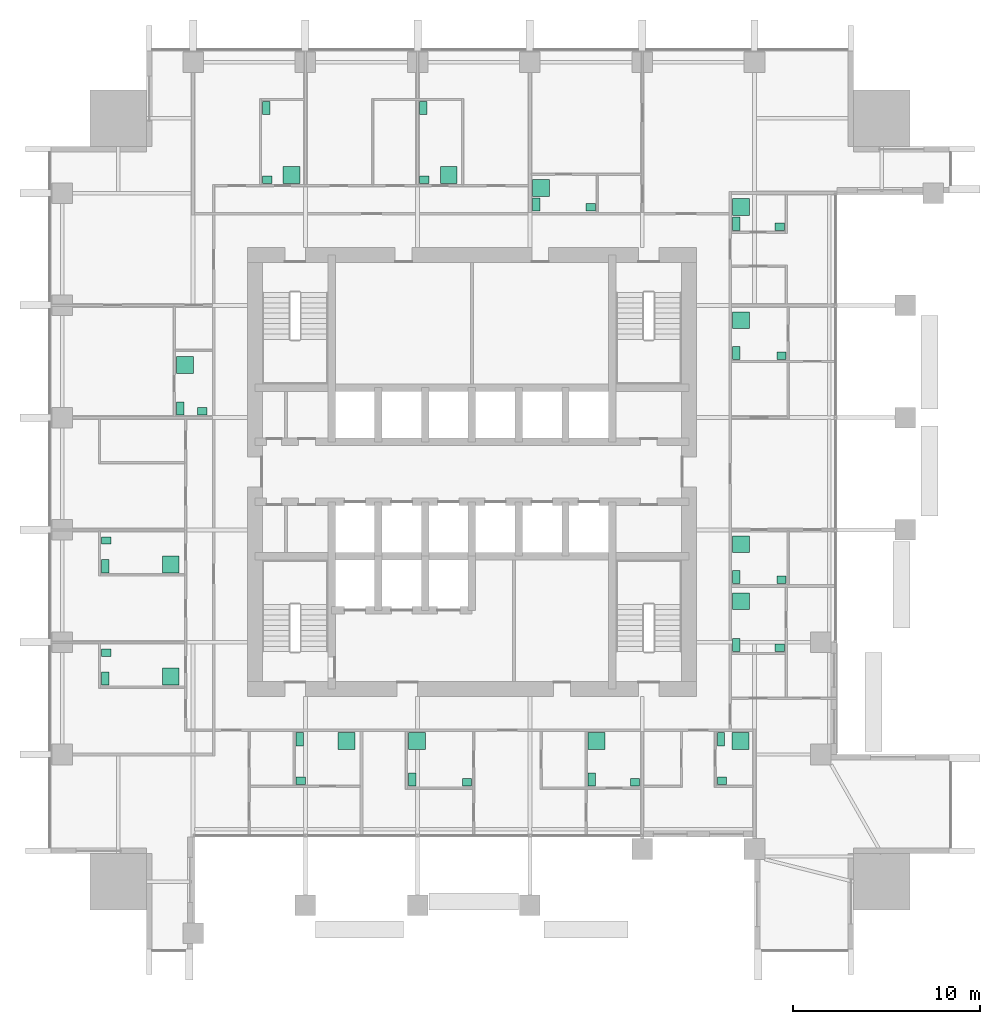
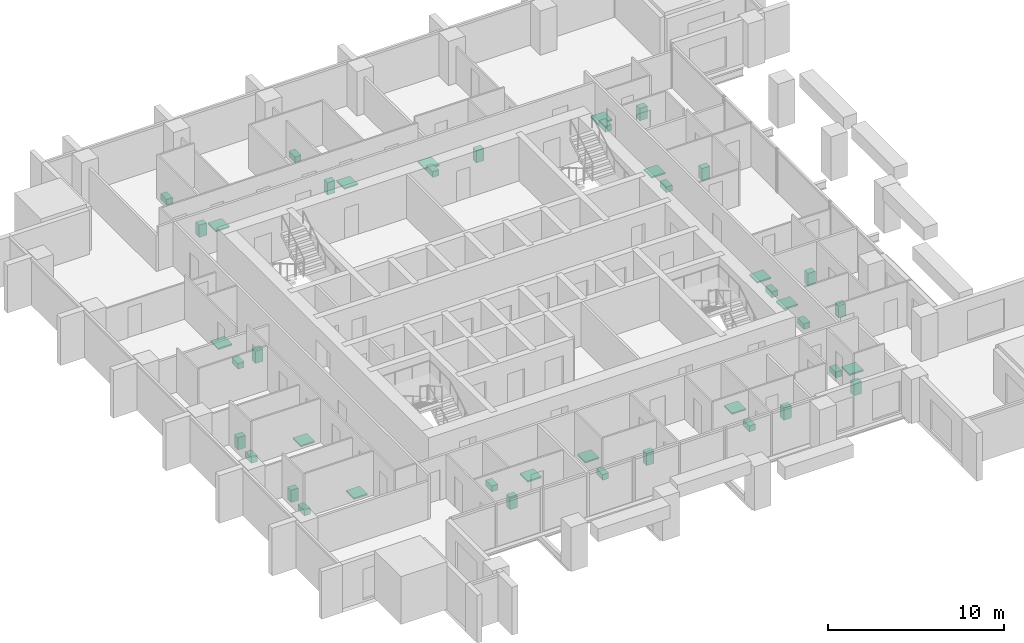
# One storey, part 13 of 13: 42 sanitary terminals.
"""IFC4 building model written with IfcOpenShell, lengths in metres."""

from ifc_helpers import new_model, si_unit, direction, frame, origin, origin_2d, place, context, subcontext, project, spatial, rectangle, extrude, element, save


model = new_model("IFC4")

# Units and contexts
model_context = context("Model", 3, precision=1e-05, world=origin(), true_north=direction((0.0, 1.0)))
body_context = subcontext(model_context, "Body", "Model", "MODEL_VIEW")
ifc_project = project(units=[si_unit("LENGTHUNIT", "METRE"), si_unit("AREAUNIT", "SQUARE_METRE"), si_unit("VOLUMEUNIT", "CUBIC_METRE"), si_unit("PLANEANGLEUNIT", "RADIAN"), si_unit("MASSUNIT", "GRAM", prefix="KILO")], contexts=[model_context])

# Site, building, storey
site_placement = place(None, origin())
site = spatial("IfcSite", under=ifc_project, at=site_placement, CompositionType="ELEMENT")
building_placement = place(site_placement, origin())
building = spatial("IfcBuilding", under=site, at=building_placement, Name="Amberfall Residences", CompositionType="ELEMENT")
storey_placement = place(building_placement, frame((0.0, 0.0, 111.699951171875)))
storey = spatial("IfcBuildingStorey", under=building, at=storey_placement, Name="L30", CompositionType="ELEMENT", Elevation=111.699951171875)

# Sanitary terminals
sanitary_terminal_1_placement = place(storey_placement, frame((65.31005859375, 31.215087890625, 0.0), z_axis=(0.0, 0.0, 1.0), x_axis=(1.0, 0.0, 0.0)))
element("IfcSanitaryTerminal", 1, at=sanitary_terminal_1_placement, inside=storey, Name="Water closet 3001", PredefinedType="TOILETPAN", context=body_context, shape_type="SweptSolid", body=[
    extrude(rectangle(XDim=0.39990234375, YDim=0.699951171875, at=origin_2d()), origin(), (0.0, 0.0, 1.0), 0.39990234375),
])
sanitary_terminal_2_placement = place(storey_placement, frame((65.360107421875, 29.010009765625, 0.0), z_axis=(0.0, 0.0, 1.0), x_axis=(1.0, 0.0, 0.0)))
element("IfcSanitaryTerminal", 2, at=sanitary_terminal_2_placement, inside=storey, Name="Basin 3001", PredefinedType="WASHHANDBASIN", context=body_context, shape_type="SweptSolid", body=[
    extrude(rectangle(XDim=0.5, YDim=0.39990234375, at=origin_2d()), origin(), (0.0, 0.0, 1.0), 0.85009765625),
])
sanitary_terminal_3_placement = place(storey_placement, frame((67.791748046875, 31.114990234375, 0.0), z_axis=(0.0, 0.0, 1.0), x_axis=(1.0, 0.0, 0.0)))
element("IfcSanitaryTerminal", 3, at=sanitary_terminal_3_placement, inside=storey, Name="Shower tray 3001", PredefinedType="SHOWER", context=body_context, shape_type="SweptSolid", body=[
    extrude(rectangle(XDim=0.89990234375, YDim=0.89990234375, at=origin_2d()), origin(), (0.0, 0.0, 1.0), 0.10009765625),
])
sanitary_terminal_4_placement = place(storey_placement, frame((71.31005859375, 29.06005859375, 0.0), z_axis=(0.0, 0.0, 1.0), x_axis=(1.0, 0.0, 0.0)))
element("IfcSanitaryTerminal", 4, at=sanitary_terminal_4_placement, inside=storey, Name="Water closet 3002", PredefinedType="TOILETPAN", context=body_context, shape_type="SweptSolid", body=[
    extrude(rectangle(XDim=0.39990234375, YDim=0.699951171875, at=origin_2d()), origin(), (0.0, 0.0, 1.0), 0.39990234375),
])
sanitary_terminal_5_placement = place(storey_placement, frame((74.239990234375, 28.909912109375, 0.0), z_axis=(0.0, 0.0, 1.0), x_axis=(1.0, 0.0, 0.0)))
element("IfcSanitaryTerminal", 5, at=sanitary_terminal_5_placement, inside=storey, Name="Basin 3002", PredefinedType="WASHHANDBASIN", context=body_context, shape_type="SweptSolid", body=[
    extrude(rectangle(XDim=0.5, YDim=0.39990234375, at=origin_2d()), origin(), (0.0, 0.0, 1.0), 0.85009765625),
])
sanitary_terminal_6_placement = place(storey_placement, frame((71.56005859375, 31.114990234375, 0.0), z_axis=(0.0, 0.0, 1.0), x_axis=(1.0, 0.0, 0.0)))
element("IfcSanitaryTerminal", 6, at=sanitary_terminal_6_placement, inside=storey, Name="Shower tray 3002", PredefinedType="SHOWER", context=body_context, shape_type="SweptSolid", body=[
    extrude(rectangle(XDim=0.89990234375, YDim=0.89990234375, at=origin_2d()), origin(), (0.0, 0.0, 1.0), 0.10009765625),
])
sanitary_terminal_7_placement = place(storey_placement, frame((80.909912109375, 29.06005859375, 0.0), z_axis=(0.0, 0.0, 1.0), x_axis=(1.0, 0.0, 0.0)))
element("IfcSanitaryTerminal", 7, at=sanitary_terminal_7_placement, inside=storey, Name="Water closet 3002", PredefinedType="TOILETPAN", context=body_context, shape_type="SweptSolid", body=[
    extrude(rectangle(XDim=0.39990234375, YDim=0.699951171875, at=origin_2d()), origin(), (0.0, 0.0, 1.0), 0.39990234375),
])
sanitary_terminal_8_placement = place(storey_placement, frame((83.215087890625, 28.909912109375, 0.0), z_axis=(0.0, 0.0, 1.0), x_axis=(1.0, 0.0, 0.0)))
element("IfcSanitaryTerminal", 8, at=sanitary_terminal_8_placement, inside=storey, Name="Basin 3002", PredefinedType="WASHHANDBASIN", context=body_context, shape_type="SweptSolid", body=[
    extrude(rectangle(XDim=0.5, YDim=0.39990234375, at=origin_2d()), origin(), (0.0, 0.0, 1.0), 0.85009765625),
])
sanitary_terminal_9_placement = place(storey_placement, frame((81.159912109375, 31.114990234375, 0.0), z_axis=(0.0, 0.0, 1.0), x_axis=(1.0, 0.0, 0.0)))
element("IfcSanitaryTerminal", 9, at=sanitary_terminal_9_placement, inside=storey, Name="Shower tray 3002", PredefinedType="SHOWER", context=body_context, shape_type="SweptSolid", body=[
    extrude(rectangle(XDim=0.89990234375, YDim=0.89990234375, at=origin_2d()), origin(), (0.0, 0.0, 1.0), 0.10009765625),
])
sanitary_terminal_10_placement = place(storey_placement, frame((87.81005859375, 31.215087890625, 0.0), z_axis=(0.0, 0.0, 1.0), x_axis=(1.0, 0.0, 0.0)))
element("IfcSanitaryTerminal", 10, at=sanitary_terminal_10_placement, inside=storey, Name="Water closet 3003", PredefinedType="TOILETPAN", context=body_context, shape_type="SweptSolid", body=[
    extrude(rectangle(XDim=0.39990234375, YDim=0.699951171875, at=origin_2d()), origin(), (0.0, 0.0, 1.0), 0.39990234375),
])
sanitary_terminal_11_placement = place(storey_placement, frame((87.860107421875, 29.010009765625, 0.0), z_axis=(0.0, 0.0, 1.0), x_axis=(1.0, 0.0, 0.0)))
element("IfcSanitaryTerminal", 11, at=sanitary_terminal_11_placement, inside=storey, Name="Basin 3003", PredefinedType="WASHHANDBASIN", context=body_context, shape_type="SweptSolid", body=[
    extrude(rectangle(XDim=0.5, YDim=0.39990234375, at=origin_2d()), origin(), (0.0, 0.0, 1.0), 0.85009765625),
])
sanitary_terminal_12_placement = place(storey_placement, frame((88.855712890625, 31.114990234375, 0.0), z_axis=(0.0, 0.0, 1.0), x_axis=(1.0, 0.0, 0.0)))
element("IfcSanitaryTerminal", 12, at=sanitary_terminal_12_placement, inside=storey, Name="Shower tray 3003", PredefinedType="SHOWER", context=body_context, shape_type="SweptSolid", body=[
    extrude(rectangle(XDim=0.89990234375, YDim=0.89990234375, at=origin_2d()), origin(), (0.0, 0.0, 1.0), 0.10009765625),
])
sanitary_terminal_13_placement = place(storey_placement, frame((88.635009765625, 36.260009765625, 0.0), z_axis=(0.0, 0.0, 1.0), x_axis=(1.0, 0.0, 0.0)))
element("IfcSanitaryTerminal", 13, at=sanitary_terminal_13_placement, inside=storey, Name="Water closet 3004", PredefinedType="TOILETPAN", context=body_context, shape_type="SweptSolid", body=[
    extrude(rectangle(XDim=0.39990234375, YDim=0.699951171875, at=origin_2d()), origin(), (0.0, 0.0, 1.0), 0.39990234375),
])
sanitary_terminal_14_placement = place(storey_placement, frame((90.93994140625, 36.110107421875, 0.0), z_axis=(0.0, 0.0, 1.0), x_axis=(1.0, 0.0, 0.0)))
element("IfcSanitaryTerminal", 14, at=sanitary_terminal_14_placement, inside=storey, Name="Basin 3004", PredefinedType="WASHHANDBASIN", context=body_context, shape_type="SweptSolid", body=[
    extrude(rectangle(XDim=0.5, YDim=0.39990234375, at=origin_2d()), origin(), (0.0, 0.0, 1.0), 0.85009765625),
])
sanitary_terminal_15_placement = place(storey_placement, frame((88.885009765625, 38.591796875, 0.0), z_axis=(0.0, 0.0, 1.0), x_axis=(1.0, 0.0, 0.0)))
element("IfcSanitaryTerminal", 15, at=sanitary_terminal_15_placement, inside=storey, Name="Shower tray 3004", PredefinedType="SHOWER", context=body_context, shape_type="SweptSolid", body=[
    extrude(rectangle(XDim=0.89990234375, YDim=0.89990234375, at=origin_2d()), origin(), (0.0, 0.0, 1.0), 0.10009765625),
])
sanitary_terminal_16_placement = place(storey_placement, frame((88.635009765625, 39.885009765625, 0.0), z_axis=(0.0, 0.0, 1.0), x_axis=(1.0, 0.0, 0.0)))
element("IfcSanitaryTerminal", 16, at=sanitary_terminal_16_placement, inside=storey, Name="Water closet 3005", PredefinedType="TOILETPAN", context=body_context, shape_type="SweptSolid", body=[
    extrude(rectangle(XDim=0.39990234375, YDim=0.699951171875, at=origin_2d()), origin(), (0.0, 0.0, 1.0), 0.39990234375),
])
sanitary_terminal_17_placement = place(storey_placement, frame((91.0400390625, 39.735107421875, 0.0), z_axis=(0.0, 0.0, 1.0), x_axis=(1.0, 0.0, 0.0)))
element("IfcSanitaryTerminal", 17, at=sanitary_terminal_17_placement, inside=storey, Name="Basin 3005", PredefinedType="WASHHANDBASIN", context=body_context, shape_type="SweptSolid", body=[
    extrude(rectangle(XDim=0.5, YDim=0.39990234375, at=origin_2d()), origin(), (0.0, 0.0, 1.0), 0.85009765625),
])
sanitary_terminal_18_placement = place(storey_placement, frame((88.885009765625, 41.6337890625, 0.0), z_axis=(0.0, 0.0, 1.0), x_axis=(1.0, 0.0, 0.0)))
element("IfcSanitaryTerminal", 18, at=sanitary_terminal_18_placement, inside=storey, Name="Shower tray 3005", PredefinedType="SHOWER", context=body_context, shape_type="SweptSolid", body=[
    extrude(rectangle(XDim=0.89990234375, YDim=0.89990234375, at=origin_2d()), origin(), (0.0, 0.0, 1.0), 0.10009765625),
])
sanitary_terminal_19_placement = place(storey_placement, frame((88.635009765625, 51.860107421875, 0.0), z_axis=(0.0, 0.0, 1.0), x_axis=(1.0, 0.0, 0.0)))
element("IfcSanitaryTerminal", 19, at=sanitary_terminal_19_placement, inside=storey, Name="Water closet 3005", PredefinedType="TOILETPAN", context=body_context, shape_type="SweptSolid", body=[
    extrude(rectangle(XDim=0.39990234375, YDim=0.699951171875, at=origin_2d()), origin(), (0.0, 0.0, 1.0), 0.39990234375),
])
sanitary_terminal_20_placement = place(storey_placement, frame((91.0400390625, 51.7099609375, 0.0), z_axis=(0.0, 0.0, 1.0), x_axis=(1.0, 0.0, 0.0)))
element("IfcSanitaryTerminal", 20, at=sanitary_terminal_20_placement, inside=storey, Name="Basin 3005", PredefinedType="WASHHANDBASIN", context=body_context, shape_type="SweptSolid", body=[
    extrude(rectangle(XDim=0.5, YDim=0.39990234375, at=origin_2d()), origin(), (0.0, 0.0, 1.0), 0.85009765625),
])
sanitary_terminal_21_placement = place(storey_placement, frame((88.885009765625, 53.60888671875, 0.0), z_axis=(0.0, 0.0, 1.0), x_axis=(1.0, 0.0, 0.0)))
element("IfcSanitaryTerminal", 21, at=sanitary_terminal_21_placement, inside=storey, Name="Shower tray 3005", PredefinedType="SHOWER", context=body_context, shape_type="SweptSolid", body=[
    extrude(rectangle(XDim=0.89990234375, YDim=0.89990234375, at=origin_2d()), origin(), (0.0, 0.0, 1.0), 0.10009765625),
])
sanitary_terminal_22_placement = place(storey_placement, frame((88.635009765625, 58.760009765625, 0.0), z_axis=(0.0, 0.0, 1.0), x_axis=(1.0, 0.0, 0.0)))
element("IfcSanitaryTerminal", 22, at=sanitary_terminal_22_placement, inside=storey, Name="Water closet 3006", PredefinedType="TOILETPAN", context=body_context, shape_type="SweptSolid", body=[
    extrude(rectangle(XDim=0.39990234375, YDim=0.699951171875, at=origin_2d()), origin(), (0.0, 0.0, 1.0), 0.39990234375),
])
sanitary_terminal_23_placement = place(storey_placement, frame((90.93994140625, 58.610107421875, 0.0), z_axis=(0.0, 0.0, 1.0), x_axis=(1.0, 0.0, 0.0)))
element("IfcSanitaryTerminal", 23, at=sanitary_terminal_23_placement, inside=storey, Name="Basin 3006", PredefinedType="WASHHANDBASIN", context=body_context, shape_type="SweptSolid", body=[
    extrude(rectangle(XDim=0.5, YDim=0.39990234375, at=origin_2d()), origin(), (0.0, 0.0, 1.0), 0.85009765625),
])
sanitary_terminal_24_placement = place(storey_placement, frame((88.885009765625, 59.65576171875, 0.0), z_axis=(0.0, 0.0, 1.0), x_axis=(1.0, 0.0, 0.0)))
element("IfcSanitaryTerminal", 24, at=sanitary_terminal_24_placement, inside=storey, Name="Shower tray 3006", PredefinedType="SHOWER", context=body_context, shape_type="SweptSolid", body=[
    extrude(rectangle(XDim=0.89990234375, YDim=0.89990234375, at=origin_2d()), origin(), (0.0, 0.0, 1.0), 0.10009765625),
])
sanitary_terminal_25_placement = place(storey_placement, frame((63.510009765625, 64.93994140625, 0.0), z_axis=(0.0, 0.0, 1.0), x_axis=(1.0, 0.0, 0.0)))
element("IfcSanitaryTerminal", 25, at=sanitary_terminal_25_placement, inside=storey, Name="Water closet 3007", PredefinedType="TOILETPAN", context=body_context, shape_type="SweptSolid", body=[
    extrude(rectangle(XDim=0.39990234375, YDim=0.699951171875, at=origin_2d()), origin(), (0.0, 0.0, 1.0), 0.39990234375),
])
sanitary_terminal_26_placement = place(storey_placement, frame((63.56005859375, 61.110107421875, 0.0), z_axis=(0.0, 0.0, 1.0), x_axis=(1.0, 0.0, 0.0)))
element("IfcSanitaryTerminal", 26, at=sanitary_terminal_26_placement, inside=storey, Name="Basin 3007", PredefinedType="WASHHANDBASIN", context=body_context, shape_type="SweptSolid", body=[
    extrude(rectangle(XDim=0.5, YDim=0.39990234375, at=origin_2d()), origin(), (0.0, 0.0, 1.0), 0.85009765625),
])
sanitary_terminal_27_placement = place(storey_placement, frame((64.857177734375, 61.360107421875, 0.0), z_axis=(0.0, 0.0, 1.0), x_axis=(1.0, 0.0, 0.0)))
element("IfcSanitaryTerminal", 27, at=sanitary_terminal_27_placement, inside=storey, Name="Shower tray 3007", PredefinedType="SHOWER", context=body_context, shape_type="SweptSolid", body=[
    extrude(rectangle(XDim=0.89990234375, YDim=0.89990234375, at=origin_2d()), origin(), (0.0, 0.0, 1.0), 0.10009765625),
])
sanitary_terminal_28_placement = place(storey_placement, frame((71.909912109375, 64.93994140625, 0.0), z_axis=(0.0, 0.0, 1.0), x_axis=(1.0, 0.0, 0.0)))
element("IfcSanitaryTerminal", 28, at=sanitary_terminal_28_placement, inside=storey, Name="Water closet 3007", PredefinedType="TOILETPAN", context=body_context, shape_type="SweptSolid", body=[
    extrude(rectangle(XDim=0.39990234375, YDim=0.699951171875, at=origin_2d()), origin(), (0.0, 0.0, 1.0), 0.39990234375),
])
sanitary_terminal_29_placement = place(storey_placement, frame((71.9599609375, 61.110107421875, 0.0), z_axis=(0.0, 0.0, 1.0), x_axis=(1.0, 0.0, 0.0)))
element("IfcSanitaryTerminal", 29, at=sanitary_terminal_29_placement, inside=storey, Name="Basin 3007", PredefinedType="WASHHANDBASIN", context=body_context, shape_type="SweptSolid", body=[
    extrude(rectangle(XDim=0.5, YDim=0.39990234375, at=origin_2d()), origin(), (0.0, 0.0, 1.0), 0.85009765625),
])
sanitary_terminal_30_placement = place(storey_placement, frame((73.257080078125, 61.360107421875, 0.0), z_axis=(0.0, 0.0, 1.0), x_axis=(1.0, 0.0, 0.0)))
element("IfcSanitaryTerminal", 30, at=sanitary_terminal_30_placement, inside=storey, Name="Shower tray 3007", PredefinedType="SHOWER", context=body_context, shape_type="SweptSolid", body=[
    extrude(rectangle(XDim=0.89990234375, YDim=0.89990234375, at=origin_2d()), origin(), (0.0, 0.0, 1.0), 0.10009765625),
])
sanitary_terminal_31_placement = place(storey_placement, frame((77.93505859375, 59.784912109375, 0.0), z_axis=(0.0, 0.0, 1.0), x_axis=(1.0, 0.0, 0.0)))
element("IfcSanitaryTerminal", 31, at=sanitary_terminal_31_placement, inside=storey, Name="Water closet 3008", PredefinedType="TOILETPAN", context=body_context, shape_type="SweptSolid", body=[
    extrude(rectangle(XDim=0.39990234375, YDim=0.699951171875, at=origin_2d()), origin(), (0.0, 0.0, 1.0), 0.39990234375),
])
sanitary_terminal_32_placement = place(storey_placement, frame((80.840087890625, 59.635009765625, 0.0), z_axis=(0.0, 0.0, 1.0), x_axis=(1.0, 0.0, 0.0)))
element("IfcSanitaryTerminal", 32, at=sanitary_terminal_32_placement, inside=storey, Name="Basin 3008", PredefinedType="WASHHANDBASIN", context=body_context, shape_type="SweptSolid", body=[
    extrude(rectangle(XDim=0.5, YDim=0.39990234375, at=origin_2d()), origin(), (0.0, 0.0, 1.0), 0.85009765625),
])
sanitary_terminal_33_placement = place(storey_placement, frame((78.18505859375, 60.680908203125, 0.0), z_axis=(0.0, 0.0, 1.0), x_axis=(1.0, 0.0, 0.0)))
element("IfcSanitaryTerminal", 33, at=sanitary_terminal_33_placement, inside=storey, Name="Shower tray 3008", PredefinedType="SHOWER", context=body_context, shape_type="SweptSolid", body=[
    extrude(rectangle(XDim=0.89990234375, YDim=0.89990234375, at=origin_2d()), origin(), (0.0, 0.0, 1.0), 0.10009765625),
])
sanitary_terminal_34_placement = place(storey_placement, frame((54.909912109375, 34.4599609375, 0.0), z_axis=(0.0, 0.0, 1.0), x_axis=(1.0, 0.0, 0.0)))
element("IfcSanitaryTerminal", 34, at=sanitary_terminal_34_placement, inside=storey, Name="Water closet 3009", PredefinedType="TOILETPAN", context=body_context, shape_type="SweptSolid", body=[
    extrude(rectangle(XDim=0.39990234375, YDim=0.699951171875, at=origin_2d()), origin(), (0.0, 0.0, 1.0), 0.39990234375),
])
sanitary_terminal_35_placement = place(storey_placement, frame((54.9599609375, 35.835693359375, 0.0), z_axis=(0.0, 0.0, 1.0), x_axis=(1.0, 0.0, 0.0)))
element("IfcSanitaryTerminal", 35, at=sanitary_terminal_35_placement, inside=storey, Name="Basin 3009", PredefinedType="WASHHANDBASIN", context=body_context, shape_type="SweptSolid", body=[
    extrude(rectangle(XDim=0.5, YDim=0.39990234375, at=origin_2d()), origin(), (0.0, 0.0, 1.0), 0.85009765625),
])
sanitary_terminal_36_placement = place(storey_placement, frame((58.407958984375, 34.56005859375, 0.0), z_axis=(0.0, 0.0, 1.0), x_axis=(1.0, 0.0, 0.0)))
element("IfcSanitaryTerminal", 36, at=sanitary_terminal_36_placement, inside=storey, Name="Shower tray 3009", PredefinedType="SHOWER", context=body_context, shape_type="SweptSolid", body=[
    extrude(rectangle(XDim=0.89990234375, YDim=0.89990234375, at=origin_2d()), origin(), (0.0, 0.0, 1.0), 0.10009765625),
])
sanitary_terminal_37_placement = place(storey_placement, frame((54.909912109375, 40.4599609375, 0.0), z_axis=(0.0, 0.0, 1.0), x_axis=(1.0, 0.0, 0.0)))
element("IfcSanitaryTerminal", 37, at=sanitary_terminal_37_placement, inside=storey, Name="Water closet 3009", PredefinedType="TOILETPAN", context=body_context, shape_type="SweptSolid", body=[
    extrude(rectangle(XDim=0.39990234375, YDim=0.699951171875, at=origin_2d()), origin(), (0.0, 0.0, 1.0), 0.39990234375),
])
sanitary_terminal_38_placement = place(storey_placement, frame((54.9599609375, 41.835693359375, 0.0), z_axis=(0.0, 0.0, 1.0), x_axis=(1.0, 0.0, 0.0)))
element("IfcSanitaryTerminal", 38, at=sanitary_terminal_38_placement, inside=storey, Name="Basin 3009", PredefinedType="WASHHANDBASIN", context=body_context, shape_type="SweptSolid", body=[
    extrude(rectangle(XDim=0.5, YDim=0.39990234375, at=origin_2d()), origin(), (0.0, 0.0, 1.0), 0.85009765625),
])
sanitary_terminal_39_placement = place(storey_placement, frame((58.407958984375, 40.56005859375, 0.0), z_axis=(0.0, 0.0, 1.0), x_axis=(1.0, 0.0, 0.0)))
element("IfcSanitaryTerminal", 39, at=sanitary_terminal_39_placement, inside=storey, Name="Shower tray 3009", PredefinedType="SHOWER", context=body_context, shape_type="SweptSolid", body=[
    extrude(rectangle(XDim=0.89990234375, YDim=0.89990234375, at=origin_2d()), origin(), (0.0, 0.0, 1.0), 0.10009765625),
])
sanitary_terminal_40_placement = place(storey_placement, frame((58.909912109375, 48.885009765625, 0.0), z_axis=(0.0, 0.0, 1.0), x_axis=(1.0, 0.0, 0.0)))
element("IfcSanitaryTerminal", 40, at=sanitary_terminal_40_placement, inside=storey, Name="Water closet 3010", PredefinedType="TOILETPAN", context=body_context, shape_type="SweptSolid", body=[
    extrude(rectangle(XDim=0.39990234375, YDim=0.699951171875, at=origin_2d()), origin(), (0.0, 0.0, 1.0), 0.39990234375),
])
sanitary_terminal_41_placement = place(storey_placement, frame((60.089111328125, 48.735107421875, 0.0), z_axis=(0.0, 0.0, 1.0), x_axis=(1.0, 0.0, 0.0)))
element("IfcSanitaryTerminal", 41, at=sanitary_terminal_41_placement, inside=storey, Name="Basin 3010", PredefinedType="WASHHANDBASIN", context=body_context, shape_type="SweptSolid", body=[
    extrude(rectangle(XDim=0.5, YDim=0.39990234375, at=origin_2d()), origin(), (0.0, 0.0, 1.0), 0.85009765625),
])
sanitary_terminal_42_placement = place(storey_placement, frame((59.159912109375, 51.216796875, 0.0), z_axis=(0.0, 0.0, 1.0), x_axis=(1.0, 0.0, 0.0)))
element("IfcSanitaryTerminal", 42, at=sanitary_terminal_42_placement, inside=storey, Name="Shower tray 3010", PredefinedType="SHOWER", context=body_context, shape_type="SweptSolid", body=[
    extrude(rectangle(XDim=0.89990234375, YDim=0.89990234375, at=origin_2d()), origin(), (0.0, 0.0, 1.0), 0.10009765625),
])

save(model, "model.ifc")
